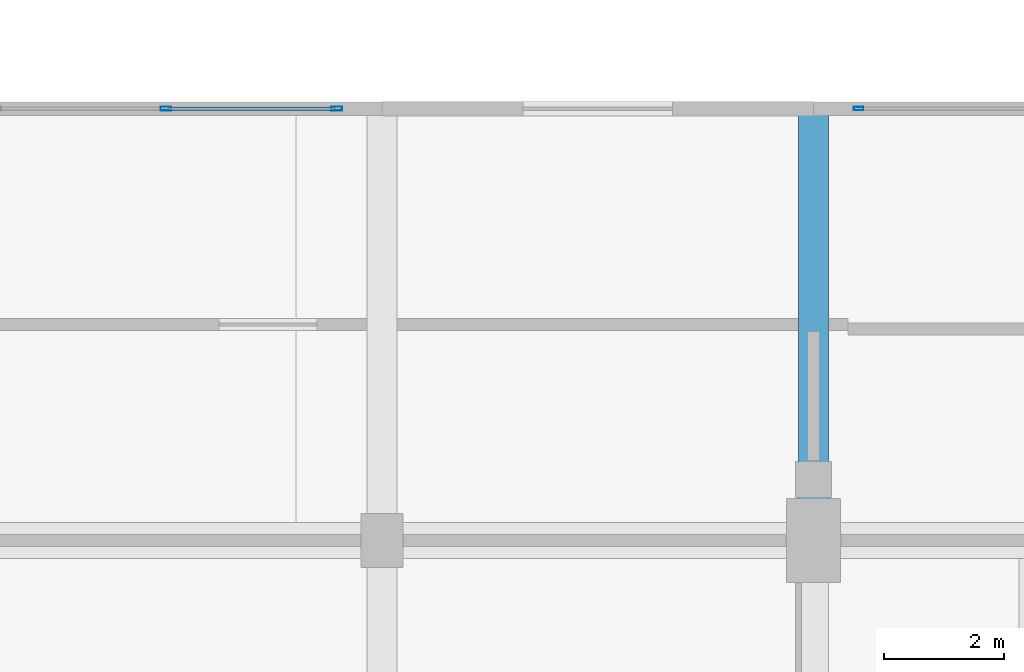
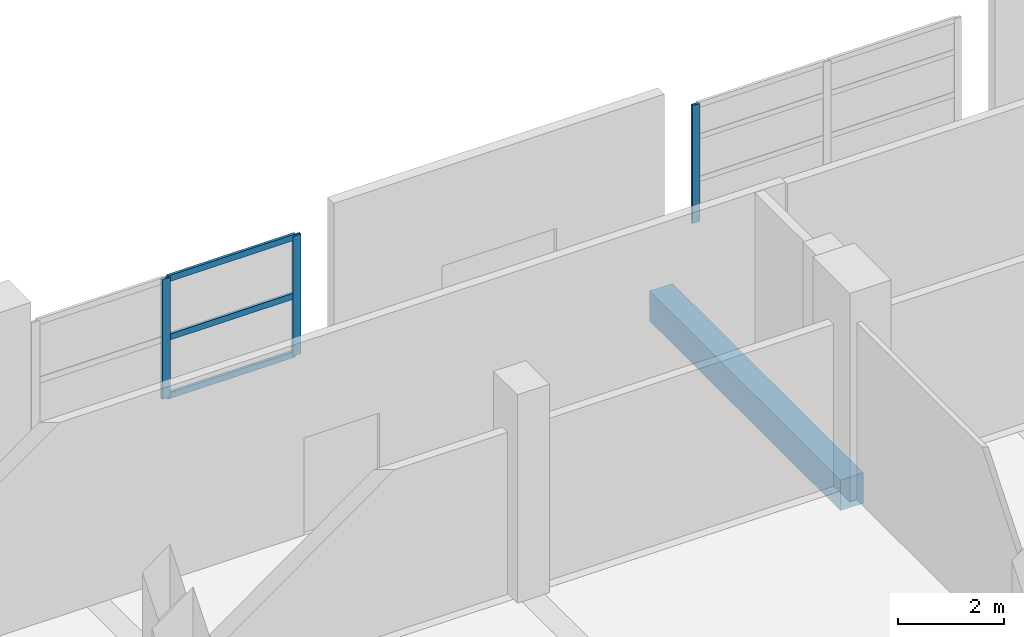
# One storey, part 76 of 181: 6 members, 1 beam, 2 elements without a shape of their own.
"""IFC4 building model written with IfcOpenShell, lengths in metres."""

from ifc_helpers import new_model, si_unit, direction, frame, origin, origin_2d, place, context, subcontext, project, spatial, rectangle, hollow_rectangle, extrude, material, layer, layer_set, material_profile, profile_set, type_object, element, aggregate, save


model = new_model("IFC4")

# Units and contexts
model_context = context("Model", 3, precision=1e-05, world=origin(), true_north=direction((0.0, 1.0)))
body_context = subcontext(model_context, "Body", "Model", "MODEL_VIEW")
ifc_project = project(units=[si_unit("LENGTHUNIT", "METRE"), si_unit("AREAUNIT", "SQUARE_METRE"), si_unit("VOLUMEUNIT", "CUBIC_METRE"), si_unit("PLANEANGLEUNIT", "RADIAN"), si_unit("MASSUNIT", "GRAM", prefix="KILO")], contexts=[model_context])

# Site, building, storey
site_placement = place(None, origin())
site = spatial("IfcSite", under=ifc_project, at=site_placement, CompositionType="ELEMENT")
building_placement = place(site_placement, origin())
building = spatial("IfcBuilding", under=site, at=building_placement, Name="Seraya Terrace Polytechnic", CompositionType="ELEMENT")
storey_placement = place(building_placement, frame((0.0, 0.0, 4.800048828125)))
storey = spatial("IfcBuildingStorey", under=building, at=storey_placement, Name="L01", CompositionType="ELEMENT", Elevation=4.800048828125)

# Beam
ifc_material_1 = material(Name="Concrete C40/50", Category="concrete")
ifc_material_profile_1 = material_profile(ifc_material_1, rectangle(XDim=0.5, YDim=0.699951171875, at=origin_2d()), Name="RC 500x700")
ifc_profile_set_1 = profile_set([ifc_material_profile_1], Name="Concrete C40/50")
beam_type = type_object("IfcBeamType", Name="BM-07", PredefinedType="BEAM", material=ifc_profile_set_1)
beam_placement = place(storey_placement, frame((43.199951171875, 79.199951171875, -0.35009765625), z_axis=(0.0, 1.0, 0.0), x_axis=(-1.0, 0.0, 0.0)))
element("IfcBeam", 1, at=beam_placement, inside=storey, type_object=beam_type, Name="Beam BM-07 L01 Y (43.2, 79.2..86.4)", PredefinedType="BEAM", context=body_context, shape_type="SweptSolid", body=[
    extrude(rectangle(XDim=0.5, YDim=0.699951171875, at=origin_2d()), origin(), (0.0, 0.0, 1.0), 7.199951171875),
])

# Curtain wall, members
ifc_material_2 = material(Name="Anodised aluminium EN AW-6063 T6", Category="aluminium")
ifc_layer_1 = layer(ifc_material_2, 0.179931640625, Name="CW-10")
ifc_layer_set_1 = layer_set([ifc_layer_1], Name="Anodised aluminium EN AW-6063 T6")
curtain_wall_type_1 = type_object("IfcCurtainWallType", Name="CW-10", PredefinedType="NOTDEFINED", material=ifc_layer_set_1)
curtain_wall_1_placement = place(storey_placement, origin())
curtain_wall_1 = element("IfcCurtainWall", 2, at=curtain_wall_1_placement, inside=storey, type_object=curtain_wall_type_1, Name="Unitised curtain wall CW-10 (CW-L01-010)", PredefinedType="NOTDEFINED")
ifc_material_profile_2 = material_profile(ifc_material_2, hollow_rectangle(XDim=0.06494140625, YDim=0.179931640625, WallThickness=0.00390625, at=origin_2d()), Name="RHS 180x65x4.0")
ifc_profile_set_2 = profile_set([ifc_material_profile_2], Name="Anodised aluminium EN AW-6063 T6")
member_type_1 = type_object("IfcMemberType", Name="CWM-01", PredefinedType="MULLION", material=ifc_profile_set_2)
member_1_placement = place(storey_placement, frame((32.39990234375, 86.39990234375, 1.239990234375), z_axis=(0.0, 0.0, 1.0), x_axis=(0.0, 1.0, 0.0)))
member_1 = element("IfcMember", 3, at=member_1_placement, type_object=member_type_1, Name="CW-10 mullion 2", PredefinedType="MULLION", context=body_context, shape_type="SweptSolid", body=[
    extrude(hollow_rectangle(XDim=0.06494140625, YDim=0.179931640625, WallThickness=0.00390625, at=origin_2d()), origin(), (0.0, 0.0, 1.0), 2.760009765625),
])
member_2_placement = place(storey_placement, frame((35.24755859375, 86.39990234375, 1.239990234375), z_axis=(0.0, 0.0, 1.0), x_axis=(0.0, 1.0, 0.0)))
member_2 = element("IfcMember", 4, at=member_2_placement, type_object=member_type_1, Name="CW-10 mullion 3", PredefinedType="MULLION", context=body_context, shape_type="SweptSolid", body=[
    extrude(hollow_rectangle(XDim=0.06494140625, YDim=0.179931640625, WallThickness=0.00390625, at=origin_2d()), origin(), (0.0, 0.0, 1.0), 2.760009765625),
])

# Curtain wall, member
ifc_layer_2 = layer(ifc_material_2, 0.179931640625, Name="CW-11")
ifc_layer_set_2 = layer_set([ifc_layer_2], Name="Anodised aluminium EN AW-6063 T6")
curtain_wall_type_2 = type_object("IfcCurtainWallType", Name="CW-11", PredefinedType="NOTDEFINED", material=ifc_layer_set_2)
curtain_wall_2_placement = place(storey_placement, origin())
curtain_wall_2 = element("IfcCurtainWall", 5, at=curtain_wall_2_placement, inside=storey, type_object=curtain_wall_type_2, Name="Unitised curtain wall CW-11 (CW-L01-011)", PredefinedType="NOTDEFINED")
ifc_material_profile_3 = material_profile(ifc_material_2, hollow_rectangle(XDim=0.06005859375, YDim=0.159912109375, WallThickness=0.00341796875, at=origin_2d()), Name="RHS 160x60x3.5")
ifc_profile_set_3 = profile_set([ifc_material_profile_3], Name="Anodised aluminium EN AW-6063 T6")
member_type_2 = type_object("IfcMemberType", Name="CWM-02", PredefinedType="MULLION", material=ifc_profile_set_3)
member_3_placement = place(storey_placement, frame((43.949951171875, 86.39990234375, 1.239990234375), z_axis=(0.0, 0.0, 1.0), x_axis=(0.0, 1.0, 0.0)))
member_3 = element("IfcMember", 6, at=member_3_placement, type_object=member_type_2, Name="CW-11 mullion 1", PredefinedType="MULLION", context=body_context, shape_type="SweptSolid", body=[
    extrude(hollow_rectangle(XDim=0.06005859375, YDim=0.159912109375, WallThickness=0.00341796875, at=origin_2d()), origin(), (0.0, 0.0, 1.0), 2.719970703125),
])
aggregate(curtain_wall_2, [member_3])

# Member
ifc_material_profile_4 = material_profile(ifc_material_2, hollow_rectangle(XDim=0.06005859375, YDim=0.139892578125, WallThickness=0.00341796875, at=origin_2d()), Name="RHS 140x60x3.5")
ifc_profile_set_4 = profile_set([ifc_material_profile_4], Name="Anodised aluminium EN AW-6063 T6")
member_type_3 = type_object("IfcMemberType", Name="CWT-01", PredefinedType="USERDEFINED", material=ifc_profile_set_4)
member_4_placement = place(storey_placement, frame((32.4326171875, 86.39990234375, 1.27001953125), z_axis=(1.0, 0.0, 0.0), x_axis=(0.0, 1.0, 0.0)))
member_4 = element("IfcMember", 7, at=member_4_placement, type_object=member_type_3, Name="CW-10 transom 2.1", ObjectType="TRANSOM", PredefinedType="USERDEFINED", context=body_context, shape_type="SweptSolid", body=[
    extrude(hollow_rectangle(XDim=0.06005859375, YDim=0.139892578125, WallThickness=0.00341796875, at=origin_2d()), origin(), (0.0, 0.0, 1.0), 2.782470703125),
])

member_5_placement = place(storey_placement, frame((32.4326171875, 86.39990234375, 2.619873046875), z_axis=(1.0, 0.0, 0.0), x_axis=(0.0, 1.0, 0.0)))
member_5 = element("IfcMember", 8, at=member_5_placement, type_object=member_type_3, Name="CW-10 transom 2.2", ObjectType="TRANSOM", PredefinedType="USERDEFINED", context=body_context, shape_type="SweptSolid", body=[
    extrude(hollow_rectangle(XDim=0.06005859375, YDim=0.139892578125, WallThickness=0.00341796875, at=origin_2d()), origin(), (0.0, 0.0, 1.0), 2.782470703125),
])

member_6_placement = place(storey_placement, frame((32.4326171875, 86.39990234375, 3.969970703125), z_axis=(1.0, 0.0, 0.0), x_axis=(0.0, 1.0, 0.0)))
member_6 = element("IfcMember", 9, at=member_6_placement, type_object=member_type_3, Name="CW-10 transom 2.3", ObjectType="TRANSOM", PredefinedType="USERDEFINED", context=body_context, shape_type="SweptSolid", body=[
    extrude(hollow_rectangle(XDim=0.06005859375, YDim=0.139892578125, WallThickness=0.00341796875, at=origin_2d()), origin(), (0.0, 0.0, 1.0), 2.782470703125),
])

aggregate(curtain_wall_1, [member_1, member_2, member_4, member_5, member_6])

save(model, "model.ifc")
